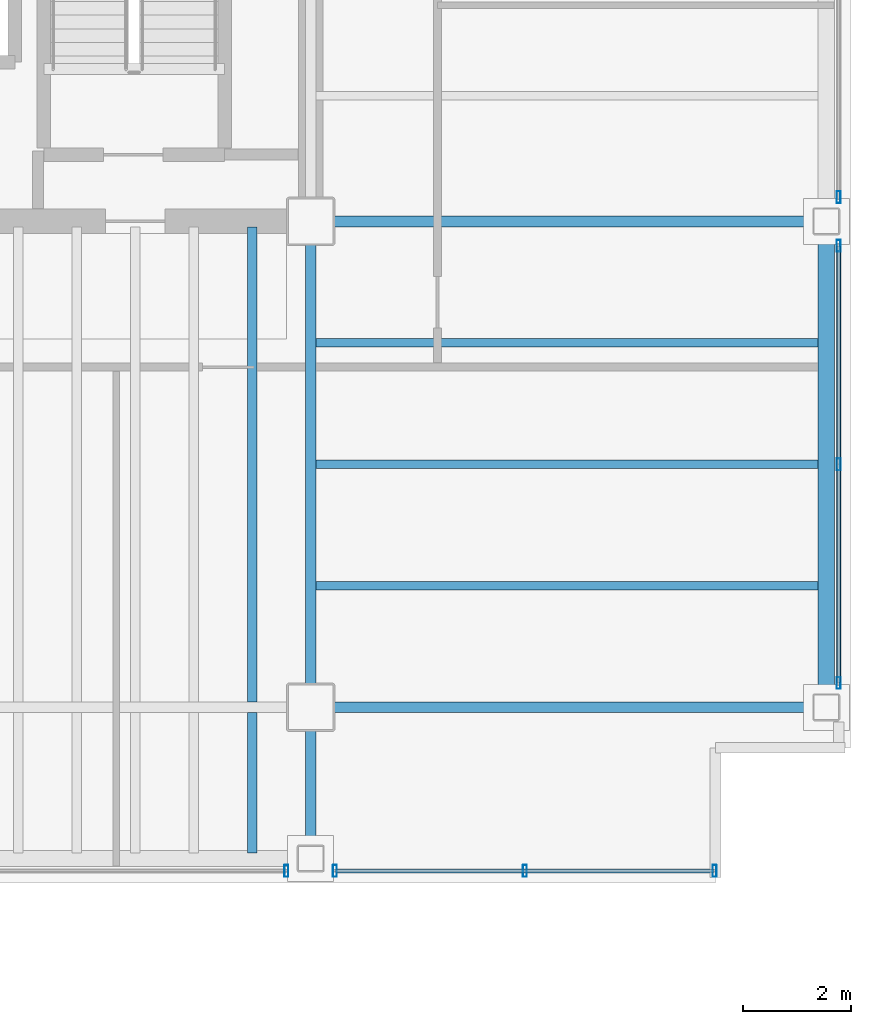
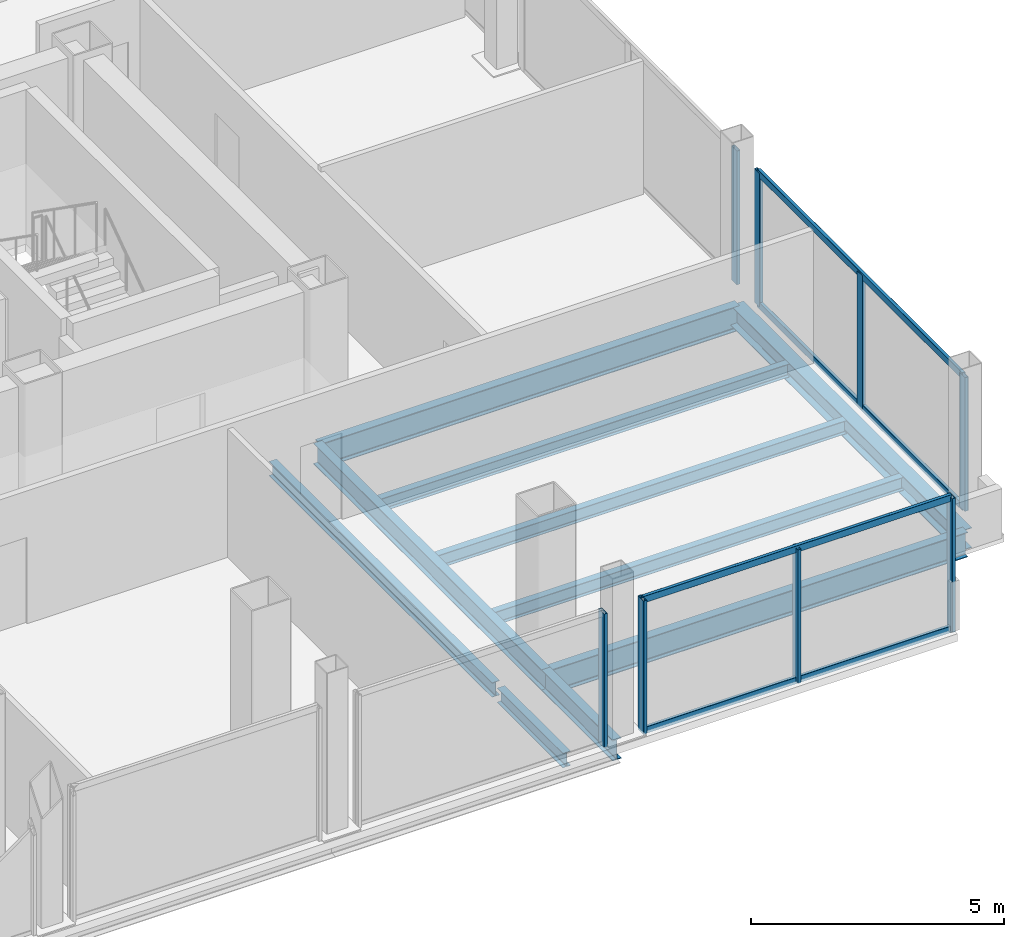
# One storey, part 10 of 15: 12 members, 10 beams, 4 elements without a shape of their own.
"""IFC4 building model written with IfcOpenShell, lengths in metres."""

from ifc_helpers import new_model, si_unit, direction, frame, origin, origin_2d, place, context, subcontext, project, spatial, hollow_rectangle, i_section, extrude, material, material_profile, profile_set, type_object, element, aggregate, save


model = new_model("IFC4")

# Units and contexts
model_context = context("Model", 3, precision=1e-05, world=origin(), true_north=direction((0.0, 1.0)))
body_context = subcontext(model_context, "Body", "Model", "MODEL_VIEW")
ifc_project = project(units=[si_unit("LENGTHUNIT", "METRE"), si_unit("AREAUNIT", "SQUARE_METRE"), si_unit("VOLUMEUNIT", "CUBIC_METRE"), si_unit("PLANEANGLEUNIT", "RADIAN"), si_unit("MASSUNIT", "GRAM", prefix="KILO")], contexts=[model_context])

# Site, building, storey
site_placement = place(None, origin())
site = spatial("IfcSite", under=ifc_project, at=site_placement, CompositionType="ELEMENT")
building_placement = place(site_placement, origin())
building = spatial("IfcBuilding", under=site, at=building_placement, Name="Noeulbin Bourse Tower", CompositionType="ELEMENT")
storey_placement = place(building_placement, frame((0.0, 0.0, 189.0)))
storey = spatial("IfcBuildingStorey", under=building, at=storey_placement, Name="L47", CompositionType="ELEMENT", Elevation=189.0)

# Beams
ifc_material_1 = material(Name="Steel S355", Category="steel")
ifc_material_profile_1 = material_profile(ifc_material_1, i_section(OverallWidth=0.199951171875, OverallDepth=0.5, WebThickness=0.010009765625, FlangeThickness=0.01611328125, FilletRadius=0.02001953125, at=origin_2d()), Name="H-500x200x10x16", Category="LoadBearing")
ifc_profile_set_1 = profile_set([ifc_material_profile_1], Name="Steel S355")
beam_type_1 = type_object("IfcBeamType", Name="BM-GRD-500", PredefinedType="USERDEFINED", material=ifc_profile_set_1)
beam_1_placement = place(storey_placement, frame((44.0, 17.199951171875, -0.429931640625), z_axis=(0.0, 1.0, 0.0), x_axis=(-1.0, 0.0, 0.0)))
element("IfcBeam", 1, at=beam_1_placement, inside=storey, type_object=beam_type_1, Name="Tower Primary Girder NS L47-5.1", ObjectType="GIRDER", PredefinedType="USERDEFINED", context=body_context, shape_type="SweptSolid", body=[
    extrude(i_section(OverallWidth=0.199951171875, OverallDepth=0.5, WebThickness=0.010009765625, FlangeThickness=0.01611328125, FilletRadius=0.02001953125, at=origin_2d()), origin(), (0.0, 0.0, 1.0), 2.800048828125),
])
beam_2_placement = place(storey_placement, frame((44.0, 20.0, -0.429931640625), z_axis=(0.0, 1.0, 0.0), x_axis=(-1.0, 0.0, 0.0)))
element("IfcBeam", 2, at=beam_2_placement, inside=storey, type_object=beam_type_1, Name="Tower Primary Girder NS L47-5.2", ObjectType="GIRDER", PredefinedType="USERDEFINED", context=body_context, shape_type="SweptSolid", body=[
    extrude(i_section(OverallWidth=0.199951171875, OverallDepth=0.5, WebThickness=0.010009765625, FlangeThickness=0.01611328125, FilletRadius=0.02001953125, at=origin_2d()), origin(), (0.0, 0.0, 1.0), 9.0),
])
ifc_material_profile_2 = material_profile(ifc_material_1, i_section(OverallWidth=0.199951171875, OverallDepth=0.60009765625, WebThickness=0.010986328125, FlangeThickness=0.01708984375, FilletRadius=0.02197265625, at=origin_2d()), Name="H-600x200x11x17", Category="LoadBearing")
ifc_profile_set_2 = profile_set([ifc_material_profile_2], Name="Steel S355")
beam_type_2 = type_object("IfcBeamType", Name="BM-GRD-600", PredefinedType="USERDEFINED", material=ifc_profile_set_2)
for number, where, z_axis, x_axis, name in (
    (3, (44.0, 20.0, -0.47998046875), (1.0, 0.0, 0.0), (0.0, 1.0, 0.0), "Tower Primary Girder EW L47-1.6"),
    (4, (44.0, 29.0, -0.47998046875), (1.0, 0.0, 0.0), (0.0, 1.0, 0.0), "Tower Primary Girder EW L47-2.6"),
):
    element("IfcBeam", number, at=place(storey_placement, frame(where, z_axis=z_axis, x_axis=x_axis)), inside=storey, type_object=beam_type_2, Name=name, ObjectType="GIRDER", PredefinedType="USERDEFINED", context=body_context, shape_type="SweptSolid", body=[
        extrude(i_section(OverallWidth=0.199951171875, OverallDepth=0.60009765625, WebThickness=0.010986328125, FlangeThickness=0.01708984375, FilletRadius=0.02197265625, at=origin_2d()), origin(), (0.0, 0.0, 1.0), 9.550048828125),
    ])
ifc_material_profile_3 = material_profile(ifc_material_1, i_section(OverallWidth=0.159912109375, OverallDepth=0.320068359375, WebThickness=0.006591796875, FlangeThickness=0.010009765625, FilletRadius=0.012939453125, at=origin_2d()), Name="H-320x160x6.5x10", Category="LoadBearing")
ifc_profile_set_3 = profile_set([ifc_material_profile_3], Name="Steel S355")
beam_type_3 = type_object("IfcBeamType", Name="BM-JST-320", PredefinedType="JOIST", material=ifc_profile_set_3)
for number, where, z_axis, x_axis, name in (
    (5, (44.10009765625, 22.25, -0.340087890625), (1.0, 0.0, 0.0), (0.0, 1.0, 0.0), "Wing Composite Joist L47-E73"),
    (6, (44.10009765625, 24.5, -0.340087890625), (1.0, 0.0, 0.0), (0.0, 1.0, 0.0), "Wing Composite Joist L47-E74"),
    (7, (44.10009765625, 26.75, -0.340087890625), (1.0, 0.0, 0.0), (0.0, 1.0, 0.0), "Wing Composite Joist L47-E75"),
):
    element("IfcBeam", number, at=place(storey_placement, frame(where, z_axis=z_axis, x_axis=x_axis)), inside=storey, type_object=beam_type_3, Name=name, PredefinedType="JOIST", context=body_context, shape_type="SweptSolid", body=[
        extrude(i_section(OverallWidth=0.159912109375, OverallDepth=0.320068359375, WebThickness=0.006591796875, FlangeThickness=0.010009765625, FilletRadius=0.012939453125, at=origin_2d()), origin(), (0.0, 0.0, 1.0), 9.2998046875),
    ])
ifc_material_profile_4 = material_profile(ifc_material_1, i_section(OverallWidth=0.175048828125, OverallDepth=0.35009765625, WebThickness=0.007080078125, FlangeThickness=0.010986328125, FilletRadius=0.013916015625, at=origin_2d()), Name="H-350x175x7x11", Category="LoadBearing")
ifc_profile_set_4 = profile_set([ifc_material_profile_4], Name="Steel S355")
beam_type_4 = type_object("IfcBeamType", Name="BM-JST-350", PredefinedType="JOIST", material=ifc_profile_set_4)
beam_3_placement = place(storey_placement, frame((42.916748046875, 17.300048828125, -0.35498046875), z_axis=(0.0, 1.0, 0.0), x_axis=(-1.0, 0.0, 0.0)))
element("IfcBeam", 8, at=beam_3_placement, inside=storey, type_object=beam_type_4, Name="Tower Composite Joist L47-64", PredefinedType="JOIST", context=body_context, shape_type="SweptSolid", body=[
    extrude(i_section(OverallWidth=0.175048828125, OverallDepth=0.35009765625, WebThickness=0.007080078125, FlangeThickness=0.010986328125, FilletRadius=0.013916015625, at=origin_2d()), origin(), (0.0, 0.0, 1.0), 2.599853515625),
])
beam_4_placement = place(storey_placement, frame((42.916748046875, 20.10009765625, -0.35498046875), z_axis=(0.0, 1.0, 0.0), x_axis=(-1.0, 0.0, 0.0)))
element("IfcBeam", 9, at=beam_4_placement, inside=storey, type_object=beam_type_4, Name="Tower Composite Joist L47-65", PredefinedType="JOIST", context=body_context, shape_type="SweptSolid", body=[
    extrude(i_section(OverallWidth=0.175048828125, OverallDepth=0.35009765625, WebThickness=0.007080078125, FlangeThickness=0.010986328125, FilletRadius=0.013916015625, at=origin_2d()), origin(), (0.0, 0.0, 1.0), 8.7998046875),
])
ifc_material_profile_5 = material_profile(ifc_material_1, i_section(OverallWidth=0.300048828125, OverallDepth=0.488037109375, WebThickness=0.010986328125, FlangeThickness=0.01806640625, FilletRadius=0.02197265625, at=origin_2d()), Name="H-488x300x11x18", Category="LoadBearing")
ifc_profile_set_5 = profile_set([ifc_material_profile_5], Name="Steel S355")
beam_type_5 = type_object("IfcBeamType", Name="BM-SPN-488", PredefinedType="SPANDREL", material=ifc_profile_set_5)
beam_5_placement = place(storey_placement, frame((53.550048828125, 20.0, -0.424072265625), z_axis=(0.0, 1.0, 0.0), x_axis=(-1.0, 0.0, 0.0)))
element("IfcBeam", 10, at=beam_5_placement, inside=storey, type_object=beam_type_5, Name="East Spandrel L47-1", PredefinedType="SPANDREL", context=body_context, shape_type="SweptSolid", body=[
    extrude(i_section(OverallWidth=0.300048828125, OverallDepth=0.488037109375, WebThickness=0.010986328125, FlangeThickness=0.01806640625, FilletRadius=0.02197265625, at=origin_2d()), origin(), (0.0, 0.0, 1.0), 9.0),
])

# Curtain wall, member
ifc_material_2 = material(Name="Dark Tinted Triple Glazing", Category="glass")
curtain_wall_type = type_object("IfcCurtainWallType", Name="CW-SYS-3", PredefinedType="NOTDEFINED", material=ifc_material_2)
curtain_wall_1_placement = place(storey_placement, origin())
curtain_wall_1 = element("IfcCurtainWall", 11, at=curtain_wall_1_placement, inside=storey, type_object=curtain_wall_type, Name="Unitised Curtain Wall CW-L47-S3-S3", PredefinedType="NOTDEFINED")
ifc_material_3 = material(Name="Anodised Aluminium 6063-T6", Category="aluminium")
ifc_material_profile_6 = material_profile(ifc_material_3, hollow_rectangle(XDim=0.074951171875, YDim=0.219970703125, WallThickness=0.0048828125, InnerFilletRadius=0.00244140625, OuterFilletRadius=0.0048828125, at=origin_2d()), Name="ALU-MULL-75x220x5", Category="LoadBearing")
ifc_profile_set_6 = profile_set([ifc_material_profile_6], Name="Anodised Aluminium 6063-T6")
member_type_1 = type_object("IfcMemberType", Name="CW-SYS-3-MUL", PredefinedType="MULLION", material=ifc_profile_set_6)
member_1_placement = place(storey_placement, frame((43.550048828125, 16.969970703125, -0.02001953125), z_axis=(0.0, 0.0, 1.0), x_axis=(1.0, 0.0, 0.0)))
member_1 = element("IfcMember", 12, at=member_1_placement, type_object=member_type_1, Name="Curtain Wall Mullion CW-L47-S3-S3-M01", PredefinedType="MULLION", context=body_context, shape_type="SweptSolid", body=[
    extrude(hollow_rectangle(XDim=0.074951171875, YDim=0.219970703125, WallThickness=0.0048828125, InnerFilletRadius=0.00244140625, OuterFilletRadius=0.0048828125, at=origin_2d()), origin(), (0.0, 0.0, 1.0), 3.219970703125),
])
aggregate(curtain_wall_1, [member_1])

# Curtain wall, members
curtain_wall_2_placement = place(storey_placement, origin())
curtain_wall_2 = element("IfcCurtainWall", 13, at=curtain_wall_2_placement, inside=storey, type_object=curtain_wall_type, Name="Unitised Curtain Wall CW-L47-S3-S4", PredefinedType="NOTDEFINED")
member_2_placement = place(storey_placement, frame((44.449951171875, 16.969970703125, -0.02001953125), z_axis=(0.0, 0.0, 1.0), x_axis=(1.0, 0.0, 0.0)))
member_2 = element("IfcMember", 14, at=member_2_placement, type_object=member_type_1, Name="Curtain Wall Mullion CW-L47-S3-S4-M00", PredefinedType="MULLION", context=body_context, shape_type="SweptSolid", body=[
    extrude(hollow_rectangle(XDim=0.074951171875, YDim=0.219970703125, WallThickness=0.0048828125, InnerFilletRadius=0.00244140625, OuterFilletRadius=0.0048828125, at=origin_2d()), origin(), (0.0, 0.0, 1.0), 3.219970703125),
])
member_3_placement = place(storey_placement, frame((47.965087890625, 16.969970703125, -0.02001953125), z_axis=(0.0, 0.0, 1.0), x_axis=(1.0, 0.0, 0.0)))
member_3 = element("IfcMember", 15, at=member_3_placement, type_object=member_type_1, Name="Curtain Wall Mullion CW-L47-S3-S4-M01", PredefinedType="MULLION", context=body_context, shape_type="SweptSolid", body=[
    extrude(hollow_rectangle(XDim=0.074951171875, YDim=0.219970703125, WallThickness=0.0048828125, InnerFilletRadius=0.00244140625, OuterFilletRadius=0.0048828125, at=origin_2d()), origin(), (0.0, 0.0, 1.0), 3.219970703125),
])
member_4_placement = place(storey_placement, frame((51.47998046875, 16.969970703125, -0.02001953125), z_axis=(0.0, 0.0, 1.0), x_axis=(1.0, 0.0, 0.0)))
member_4 = element("IfcMember", 16, at=member_4_placement, type_object=member_type_1, Name="Curtain Wall Mullion CW-L47-S3-S4-M02", PredefinedType="MULLION", context=body_context, shape_type="SweptSolid", body=[
    extrude(hollow_rectangle(XDim=0.074951171875, YDim=0.219970703125, WallThickness=0.0048828125, InnerFilletRadius=0.00244140625, OuterFilletRadius=0.0048828125, at=origin_2d()), origin(), (0.0, 0.0, 1.0), 3.219970703125),
])

curtain_wall_3_placement = place(storey_placement, origin())
curtain_wall_3 = element("IfcCurtainWall", 17, at=curtain_wall_3_placement, inside=storey, type_object=curtain_wall_type, Name="Unitised Curtain Wall CW-L47-E-S1", PredefinedType="NOTDEFINED")
member_5_placement = place(storey_placement, frame((53.780029296875, 20.449951171875, -0.02001953125), z_axis=(0.0, 0.0, 1.0), x_axis=(1.0, 0.0, 0.0)))
member_5 = element("IfcMember", 18, at=member_5_placement, type_object=member_type_1, Name="Curtain Wall Mullion CW-L47-E-S1-M00", PredefinedType="MULLION", context=body_context, shape_type="SweptSolid", body=[
    extrude(hollow_rectangle(XDim=0.074951171875, YDim=0.219970703125, WallThickness=0.0048828125, InnerFilletRadius=0.00244140625, OuterFilletRadius=0.0048828125, at=origin_2d()), origin(), (0.0, 0.0, 1.0), 3.219970703125),
])
member_6_placement = place(storey_placement, frame((53.780029296875, 24.5, -0.02001953125), z_axis=(0.0, 0.0, 1.0), x_axis=(1.0, 0.0, 0.0)))
member_6 = element("IfcMember", 19, at=member_6_placement, type_object=member_type_1, Name="Curtain Wall Mullion CW-L47-E-S1-M01", PredefinedType="MULLION", context=body_context, shape_type="SweptSolid", body=[
    extrude(hollow_rectangle(XDim=0.074951171875, YDim=0.219970703125, WallThickness=0.0048828125, InnerFilletRadius=0.00244140625, OuterFilletRadius=0.0048828125, at=origin_2d()), origin(), (0.0, 0.0, 1.0), 3.219970703125),
])
member_7_placement = place(storey_placement, frame((53.780029296875, 28.550048828125, -0.02001953125), z_axis=(0.0, 0.0, 1.0), x_axis=(1.0, 0.0, 0.0)))
member_7 = element("IfcMember", 20, at=member_7_placement, type_object=member_type_1, Name="Curtain Wall Mullion CW-L47-E-S1-M02", PredefinedType="MULLION", context=body_context, shape_type="SweptSolid", body=[
    extrude(hollow_rectangle(XDim=0.074951171875, YDim=0.219970703125, WallThickness=0.0048828125, InnerFilletRadius=0.00244140625, OuterFilletRadius=0.0048828125, at=origin_2d()), origin(), (0.0, 0.0, 1.0), 3.219970703125),
])

# Curtain wall, member
curtain_wall_4_placement = place(storey_placement, origin())
curtain_wall_4 = element("IfcCurtainWall", 21, at=curtain_wall_4_placement, inside=storey, type_object=curtain_wall_type, Name="Unitised Curtain Wall CW-L47-E-S2", PredefinedType="NOTDEFINED")
member_8_placement = place(storey_placement, frame((53.780029296875, 29.449951171875, -0.02001953125), z_axis=(0.0, 0.0, 1.0), x_axis=(1.0, 0.0, 0.0)))
member_8 = element("IfcMember", 22, at=member_8_placement, type_object=member_type_1, Name="Curtain Wall Mullion CW-L47-E-S2-M00", PredefinedType="MULLION", context=body_context, shape_type="SweptSolid", body=[
    extrude(hollow_rectangle(XDim=0.074951171875, YDim=0.219970703125, WallThickness=0.0048828125, InnerFilletRadius=0.00244140625, OuterFilletRadius=0.0048828125, at=origin_2d()), origin(), (0.0, 0.0, 1.0), 3.219970703125),
])
aggregate(curtain_wall_4, [member_8])

# Member
ifc_material_profile_7 = material_profile(ifc_material_3, hollow_rectangle(XDim=0.074951171875, YDim=0.159912109375, WallThickness=0.0048828125, InnerFilletRadius=0.00244140625, OuterFilletRadius=0.0048828125, at=origin_2d()), Name="ALU-TRAN-75x160x5", Category="LoadBearing")
ifc_profile_set_7 = profile_set([ifc_material_profile_7], Name="Anodised Aluminium 6063-T6")
member_type_2 = type_object("IfcMemberType", Name="CW-SYS-3-TRN", PredefinedType="USERDEFINED", material=ifc_profile_set_7)
member_9_placement = place(storey_placement, frame((44.4599609375, 16.969970703125, 0.010009765625), z_axis=(1.0, 0.0, 0.0), x_axis=(0.0, 1.0, 0.0)))
member_9 = element("IfcMember", 23, at=member_9_placement, type_object=member_type_2, Name="Curtain Wall Transom CW-L47-S3-S4-T00", ObjectType="TRANSOM", PredefinedType="USERDEFINED", context=body_context, shape_type="SweptSolid", body=[
    extrude(hollow_rectangle(XDim=0.074951171875, YDim=0.159912109375, WallThickness=0.0048828125, InnerFilletRadius=0.00244140625, OuterFilletRadius=0.0048828125, at=origin_2d()), origin(), (0.0, 0.0, 1.0), 7.010009765625),
])

member_10_placement = place(storey_placement, frame((44.4599609375, 16.969970703125, 3.169921875), z_axis=(1.0, 0.0, 0.0), x_axis=(0.0, 1.0, 0.0)))
member_10 = element("IfcMember", 24, at=member_10_placement, type_object=member_type_2, Name="Curtain Wall Transom CW-L47-S3-S4-T01", ObjectType="TRANSOM", PredefinedType="USERDEFINED", context=body_context, shape_type="SweptSolid", body=[
    extrude(hollow_rectangle(XDim=0.074951171875, YDim=0.159912109375, WallThickness=0.0048828125, InnerFilletRadius=0.00244140625, OuterFilletRadius=0.0048828125, at=origin_2d()), origin(), (0.0, 0.0, 1.0), 7.010009765625),
])

aggregate(curtain_wall_2, [member_2, member_3, member_4, member_9, member_10])

member_11_placement = place(storey_placement, frame((53.780029296875, 20.4599609375, 0.010009765625), z_axis=(0.0, 1.0, 0.0), x_axis=(-1.0, 0.0, 0.0)))
member_11 = element("IfcMember", 25, at=member_11_placement, type_object=member_type_2, Name="Curtain Wall Transom CW-L47-E-S1-T00", ObjectType="TRANSOM", PredefinedType="USERDEFINED", context=body_context, shape_type="SweptSolid", body=[
    extrude(hollow_rectangle(XDim=0.074951171875, YDim=0.159912109375, WallThickness=0.0048828125, InnerFilletRadius=0.00244140625, OuterFilletRadius=0.0048828125, at=origin_2d()), origin(), (0.0, 0.0, 1.0), 8.080078125),
])

member_12_placement = place(storey_placement, frame((53.780029296875, 20.4599609375, 3.169921875), z_axis=(0.0, 1.0, 0.0), x_axis=(-1.0, 0.0, 0.0)))
member_12 = element("IfcMember", 26, at=member_12_placement, type_object=member_type_2, Name="Curtain Wall Transom CW-L47-E-S1-T01", ObjectType="TRANSOM", PredefinedType="USERDEFINED", context=body_context, shape_type="SweptSolid", body=[
    extrude(hollow_rectangle(XDim=0.074951171875, YDim=0.159912109375, WallThickness=0.0048828125, InnerFilletRadius=0.00244140625, OuterFilletRadius=0.0048828125, at=origin_2d()), origin(), (0.0, 0.0, 1.0), 8.080078125),
])

aggregate(curtain_wall_3, [member_5, member_6, member_7, member_11, member_12])

save(model, "model.ifc")
